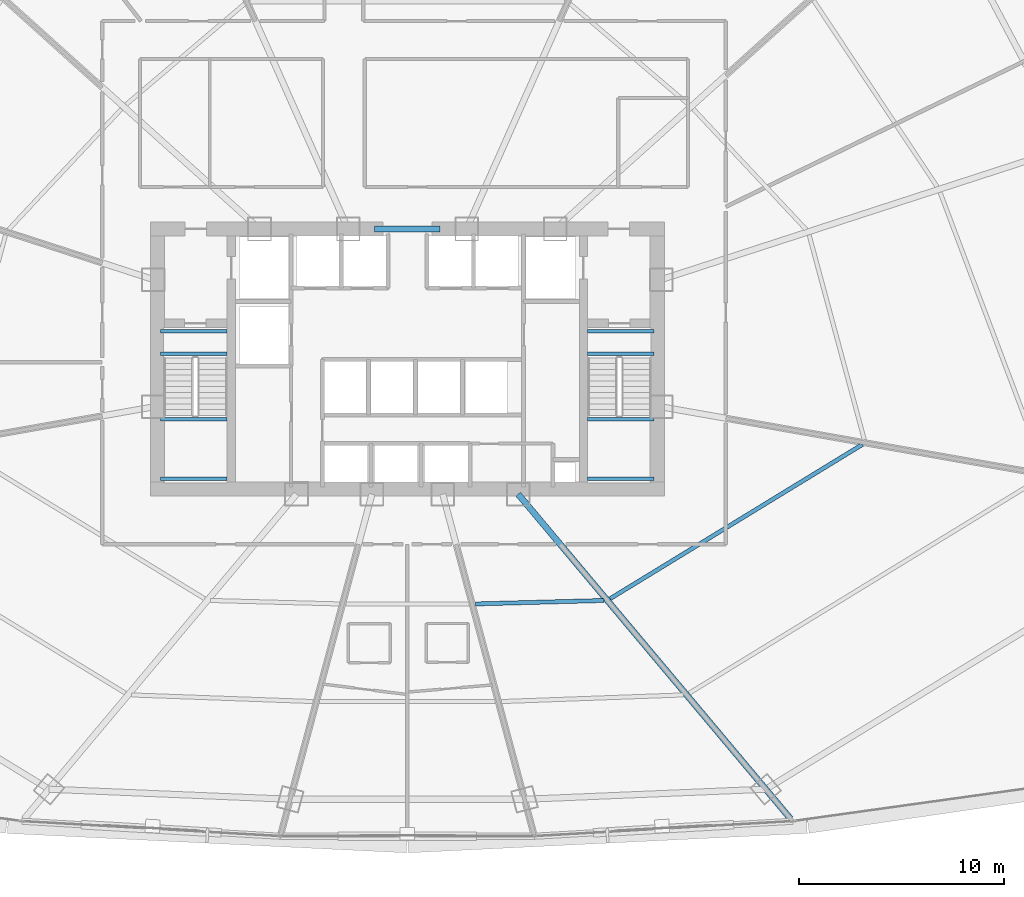
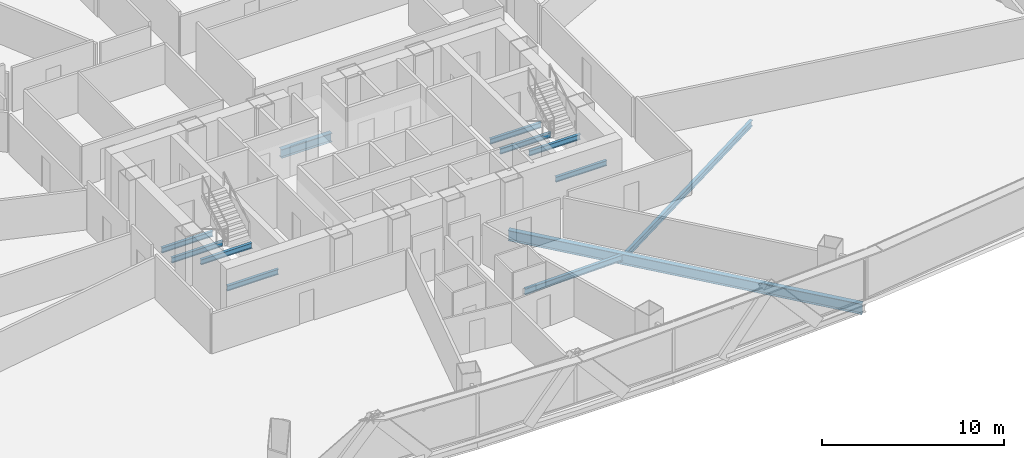
# One storey, part 12 of 38: 12 beams.
"""IFC4 building model written with IfcOpenShell, lengths in metres."""

from ifc_helpers import new_model, si_unit, direction, frame, origin, origin_2d, place, context, subcontext, project, spatial, i_section, extrude, source, transform, mapped, material, material_profile, profile_set, type_object, element, save


model = new_model("IFC4")

# Units and contexts
model_context = context("Model", 3, precision=1e-05, world=origin(), true_north=direction((0.0, 1.0)))
body_context = subcontext(model_context, "Body", "Model", "MODEL_VIEW")
ifc_project = project(units=[si_unit("LENGTHUNIT", "METRE"), si_unit("AREAUNIT", "SQUARE_METRE"), si_unit("VOLUMEUNIT", "CUBIC_METRE"), si_unit("PLANEANGLEUNIT", "RADIAN"), si_unit("MASSUNIT", "GRAM", prefix="KILO"), si_unit("THERMODYNAMICTEMPERATUREUNIT", "KELVIN"), si_unit("POWERUNIT", "WATT")], contexts=[model_context])

# Site, building, storey
site_placement = place(None, origin())
site = spatial("IfcSite", under=ifc_project, at=site_placement, CompositionType="ELEMENT")
building_placement = place(site_placement, origin())
building = spatial("IfcBuilding", under=site, at=building_placement, Name="Yunzhuo Pagoda Commons", CompositionType="ELEMENT")
storey_placement = place(building_placement, frame((0.0, 0.0, 37.659912109375)))
storey = spatial("IfcBuildingStorey", under=building, at=storey_placement, Name="L09", CompositionType="ELEMENT", Elevation=37.659912109375)

# Beams
ifc_material_1 = material(Name="Structural steel Q355B", Category="steel")
ifc_material_profile_1 = material_profile(ifc_material_1, i_section(OverallWidth=0.175048828125, OverallDepth=0.35009765625, WebThickness=0.007080078125, FlangeThickness=0.010986328125, at=origin_2d()), Name="Structural steel Q355B")
ifc_profile_set_1 = profile_set([ifc_material_profile_1], Name="Structural steel Q355B")
beam_type_1 = type_object("IfcBeamType", Name="B-JS2 Joist HN 350x175x7x11", PredefinedType="JOIST", material=ifc_profile_set_1)
shared_shape_1 = source(origin(), body_context, "Body", "SweptSolid", [
    extrude(i_section(OverallWidth=0.175048828125, OverallDepth=0.35009765625, WebThickness=0.007080078125, FlangeThickness=0.010986328125, at=origin_2d()), origin(), (0.0, 0.0, 1.0), 3.25),
])
for number, where, z_axis, x_axis, name in (
    (1, (35.949951171875, 28.0, 1.440185546875), (1.0, 0.0, 0.0), (0.0, 1.0, 0.0), "L09 ST1 landing support beam 13A"),
    (2, (35.949951171875, 30.89990234375, 1.440185546875), (1.0, 0.0, 0.0), (0.0, 1.0, 0.0), "L09 ST1 landing support beam 13B"),
    (3, (35.949951171875, 34.10009765625, -0.375), (1.0, 0.0, 0.0), (0.0, 1.0, 0.0), "L09 ST1 landing support beam 113A"),
    (4, (35.949951171875, 35.199951171875, -0.375), (1.0, 0.0, 0.0), (0.0, 1.0, 0.0), "L09 ST1 landing support beam 113B"),
    (5, (56.800048828125, 28.0, 1.440185546875), (1.0, 0.0, 0.0), (0.0, 1.0, 0.0), "L09 ST2 landing support beam 13A"),
    (6, (56.800048828125, 30.89990234375, 1.440185546875), (1.0, 0.0, 0.0), (0.0, 1.0, 0.0), "L09 ST2 landing support beam 13B"),
    (7, (56.800048828125, 34.10009765625, -0.375), (1.0, 0.0, 0.0), (0.0, 1.0, 0.0), "L09 ST2 landing support beam 113A"),
    (8, (56.800048828125, 35.199951171875, -0.375), (1.0, 0.0, 0.0), (0.0, 1.0, 0.0), "L09 ST2 landing support beam 113B"),
):
    element("IfcBeam", number, at=place(storey_placement, frame(where, z_axis=z_axis, x_axis=x_axis)), inside=storey, type_object=beam_type_1, Name=name, PredefinedType="JOIST", context=body_context, shape_type="MappedRepresentation", body=[
        mapped(shared_shape_1, transform((0.0, 0.0, 0.0), scale=1.0)),
    ])
ifc_material_2 = material(Name="Structural steel Q420B", Category="steel")
ifc_material_profile_2 = material_profile(ifc_material_2, i_section(OverallWidth=0.300048828125, OverallDepth=0.587890625, WebThickness=0.011962890625, FlangeThickness=0.02001953125, at=origin_2d()), Name="Structural steel Q420B")
ifc_profile_set_2 = profile_set([ifc_material_profile_2], Name="Structural steel Q420B")
beam_type_2 = type_object("IfcBeamType", Name="B-CPL Beam HM 588x300x12x20", PredefinedType="BEAM", material=ifc_profile_set_2)
shared_shape_2 = source(origin(), body_context, "Body", "SweptSolid", [
    extrude(i_section(OverallWidth=0.300048828125, OverallDepth=0.587890625, WebThickness=0.011962890625, FlangeThickness=0.02001953125, at=origin_2d()), origin(), (0.0, 0.0, 1.0), 3.2001953125),
])
beam_1_placement = place(storey_placement, frame((46.39990234375, 40.199951171875, -0.553955078125), z_axis=(1.0, 0.0, 0.0), x_axis=(0.0, 1.0, 0.0)))
element("IfcBeam", 9, at=beam_1_placement, inside=storey, type_object=beam_type_2, Name="L09 core coupling girder", PredefinedType="BEAM", context=body_context, shape_type="MappedRepresentation", body=[
    mapped(shared_shape_2, transform((0.0, 0.0, 0.0), scale=1.0)),
])
ifc_material_profile_3 = material_profile(ifc_material_1, i_section(OverallWidth=0.300048828125, OverallDepth=0.699951171875, WebThickness=0.012939453125, FlangeThickness=0.02392578125, at=origin_2d()), Name="Structural steel Q355B")
ifc_profile_set_3 = profile_set([ifc_material_profile_3], Name="Structural steel Q355B")
beam_type_3 = type_object("IfcBeamType", Name="B-RG1 Beam HN 700x300x13x24", PredefinedType="BEAM", material=ifc_profile_set_3)
shared_shape_3 = source(origin(), body_context, "Body", "SweptSolid", [
    extrude(i_section(OverallWidth=0.300048828125, OverallDepth=0.699951171875, WebThickness=0.012939453125, FlangeThickness=0.02392578125, at=origin_2d()), origin(), (0.0, 0.0, 1.0), 20.693115234375),
])
beam_2_placement = place(storey_placement, frame((66.71337890625, 11.398193359375, -0.60986328125), z_axis=(-0.642788302359, 0.766043861897, 0.0), x_axis=(-0.766043861897, -0.642788302359, 0.0)))
element("IfcBeam", 10, at=beam_2_placement, inside=storey, type_object=beam_type_3, Name="L09 radial floor girder F1C4", PredefinedType="BEAM", context=body_context, shape_type="MappedRepresentation", body=[
    mapped(shared_shape_3, transform((0.0, 0.0, 0.0), scale=1.0)),
])
ifc_material_profile_4 = material_profile(ifc_material_1, i_section(OverallWidth=0.199951171875, OverallDepth=0.39990234375, WebThickness=0.008056640625, FlangeThickness=0.012939453125, at=origin_2d()), Name="Structural steel Q355B")
ifc_profile_set_4 = profile_set([ifc_material_profile_4], Name="Structural steel Q355B")
beam_type_4 = type_object("IfcBeamType", Name="B-JS1 Joist HN 400x200x8x13", PredefinedType="JOIST", material=ifc_profile_set_4)
shared_shape_4 = source(origin(), body_context, "Body", "SweptSolid", [
    extrude(i_section(OverallWidth=0.199951171875, OverallDepth=0.39990234375, WebThickness=0.008056640625, FlangeThickness=0.012939453125, at=origin_2d()), origin(), (0.0, 0.0, 1.0), 6.283203125),
])
beam_3_placement = place(storey_placement, frame((51.32421875, 21.89111328125, -0.4599609375), z_axis=(0.999638450037, 0.026888086735, 0.0), x_axis=(-0.026888086735, 0.999638450037, 0.0)))
element("IfcBeam", 11, at=beam_3_placement, inside=storey, type_object=beam_type_4, Name="L09 composite ring joist 1.3", PredefinedType="JOIST", context=body_context, shape_type="MappedRepresentation", body=[
    mapped(shared_shape_4, transform((0.0, 0.0, 0.0), scale=1.0)),
])
shared_shape_5 = source(origin(), body_context, "Body", "SweptSolid", [
    extrude(i_section(OverallWidth=0.199951171875, OverallDepth=0.39990234375, WebThickness=0.008056640625, FlangeThickness=0.012939453125, at=origin_2d()), origin(), (0.0, 0.0, 1.0), 14.4365234375),
])
beam_4_placement = place(storey_placement, frame((57.8994140625, 22.14697265625, -0.4599609375), z_axis=(0.85325633277, 0.521491735876, 0.0), x_axis=(-0.521491735876, 0.85325633277, 0.0)))
element("IfcBeam", 12, at=beam_4_placement, inside=storey, type_object=beam_type_4, Name="L09 composite ring joist 1.4", PredefinedType="JOIST", context=body_context, shape_type="MappedRepresentation", body=[
    mapped(shared_shape_5, transform((0.0, 0.0, 0.0), scale=1.0)),
])

save(model, "model.ifc")
